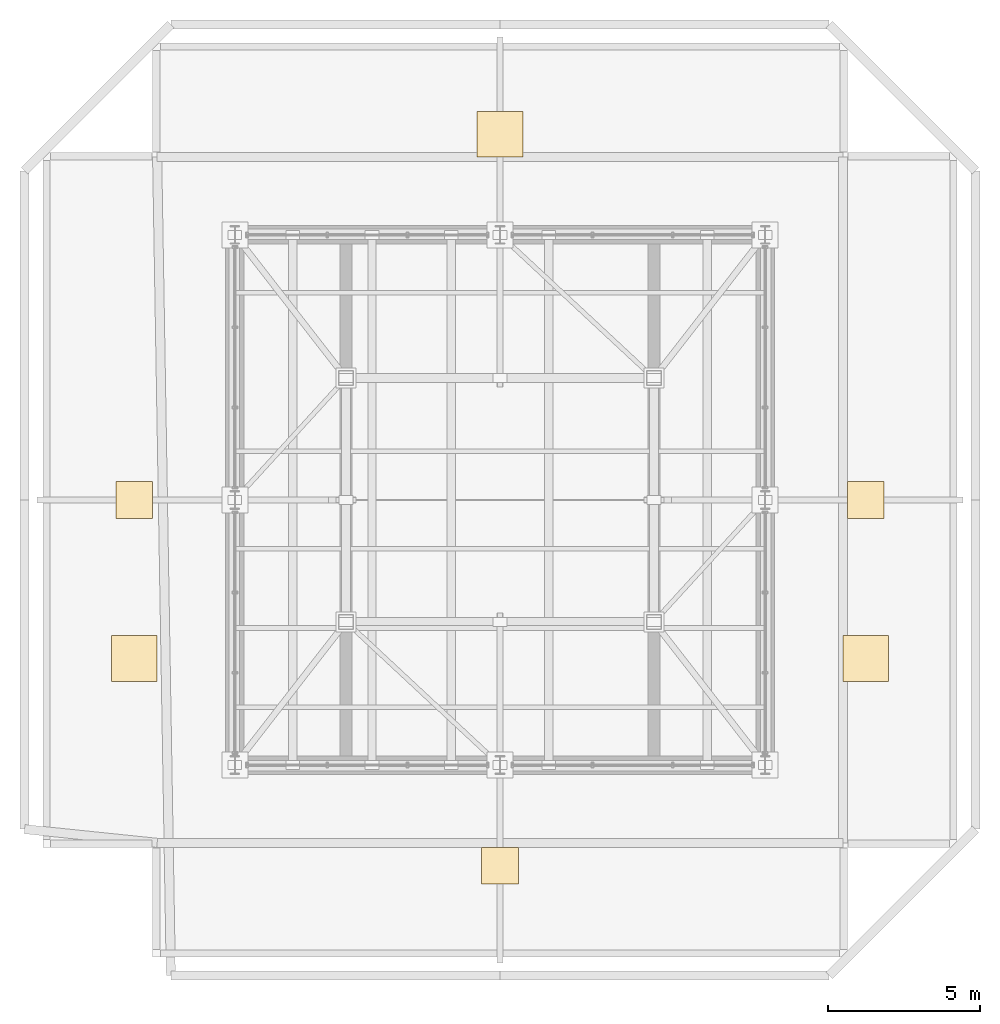
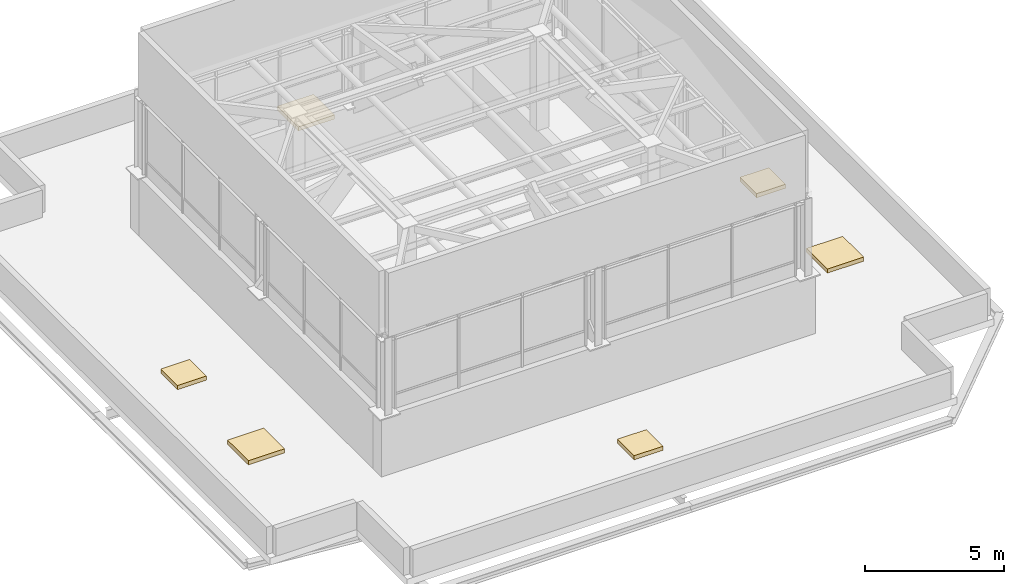
# One storey, part 22 of 22: 6 coverings.
"""IFC4 building model written with IfcOpenShell, lengths in metres."""

from ifc_helpers import new_model, si_unit, direction, frame, origin, origin_2d, place, context, subcontext, project, spatial, rectangle, extrude, material, layer, layer_set, type_object, element, save


model = new_model("IFC4")

# Units and contexts
model_context = context("Model", 3, precision=1e-05, world=origin(), true_north=direction((0.0, 1.0)))
body_context = subcontext(model_context, "Body", "Model", "MODEL_VIEW")
ifc_project = project(units=[si_unit("LENGTHUNIT", "METRE"), si_unit("AREAUNIT", "SQUARE_METRE"), si_unit("VOLUMEUNIT", "CUBIC_METRE"), si_unit("PLANEANGLEUNIT", "RADIAN"), si_unit("MASSUNIT", "GRAM", prefix="KILO")], contexts=[model_context])

# Site, building, storey
site_placement = place(None, origin())
site = spatial("IfcSite", under=ifc_project, at=site_placement, CompositionType="ELEMENT")
building_placement = place(site_placement, origin())
building = spatial("IfcBuilding", under=site, at=building_placement, Name="Belovzor Exchange Tower", CompositionType="ELEMENT")
storey_placement = place(building_placement, frame((0.0, 0.0, 378.60009765625)))
storey = spatial("IfcBuildingStorey", under=building, at=storey_placement, Name="RF", CompositionType="ELEMENT", Elevation=378.60009765625)

# Coverings
ifc_material_1 = material(Name="Insulated Aluminium Curb and Lid", Category="aluminium")
ifc_layer_1 = layer(ifc_material_1, 0.179931640625)
ifc_layer_set_1 = layer_set([ifc_layer_1], Name="Insulated Aluminium Curb and Lid")
covering_type_1 = type_object("IfcCoveringType", Name="Automatic Crown Smoke Vent Roof Hatch 1500x1500", PredefinedType="ROOFING", material=ifc_layer_set_1)
for number, where, z_axis, x_axis, name in (
    (1, (16.800048828125, 23.60009765625, 0.0), (0.0, 0.0, 1.0), (1.0, 0.0, 0.0), "RH-02 Automatic Crown Smoke Vent Roof Hatch 1500x1500 4"),
    (2, (40.800048828125, 23.60009765625, 0.0), (0.0, 0.0, 1.0), (1.0, 0.0, 0.0), "RH-02 Automatic Crown Smoke Vent Roof Hatch 1500x1500 5"),
    (3, (28.800048828125, 40.800048828125, 0.0), (0.0, 0.0, 1.0), (1.0, 0.0, 0.0), "RH-02 Automatic Crown Smoke Vent Roof Hatch 1500x1500 6"),
):
    element("IfcCovering", number, at=place(storey_placement, frame(where, z_axis=z_axis, x_axis=x_axis)), inside=storey, type_object=covering_type_1, Name=name, PredefinedType="ROOFING", context=body_context, shape_type="SweptSolid", body=[
        extrude(rectangle(XDim=1.5, YDim=1.5, at=origin_2d()), origin(), (0.0, 0.0, 1.0), 0.179931640625),
    ])
ifc_material_2 = material(Name="Insulated Aluminium Curb and Lid", Category="aluminium")
ifc_layer_2 = layer(ifc_material_2, 0.179931640625)
ifc_layer_set_2 = layer_set([ifc_layer_2], Name="Insulated Aluminium Curb and Lid")
covering_type_2 = type_object("IfcCoveringType", Name="Insulated Roof Maintenance Access Hatch 1200x1200", PredefinedType="ROOFING", material=ifc_layer_set_2)
for number, where, z_axis, x_axis, name in (
    (4, (16.800048828125, 28.800048828125, 0.0), (0.0, 0.0, 1.0), (1.0, 0.0, 0.0), "RH-01 Insulated Roof Maintenance Access Hatch 1200x1200 1"),
    (5, (40.800048828125, 28.800048828125, 0.0), (0.0, 0.0, 1.0), (1.0, 0.0, 0.0), "RH-01 Insulated Roof Maintenance Access Hatch 1200x1200 2"),
    (6, (28.800048828125, 16.800048828125, 0.0), (0.0, 0.0, 1.0), (1.0, 0.0, 0.0), "RH-01 Insulated Roof Maintenance Access Hatch 1200x1200 3"),
):
    element("IfcCovering", number, at=place(storey_placement, frame(where, z_axis=z_axis, x_axis=x_axis)), inside=storey, type_object=covering_type_2, Name=name, PredefinedType="ROOFING", context=body_context, shape_type="SweptSolid", body=[
        extrude(rectangle(XDim=1.199951171875, YDim=1.199951171875, at=origin_2d()), origin(), (0.0, 0.0, 1.0), 0.179931640625),
    ])

save(model, "model.ifc")
